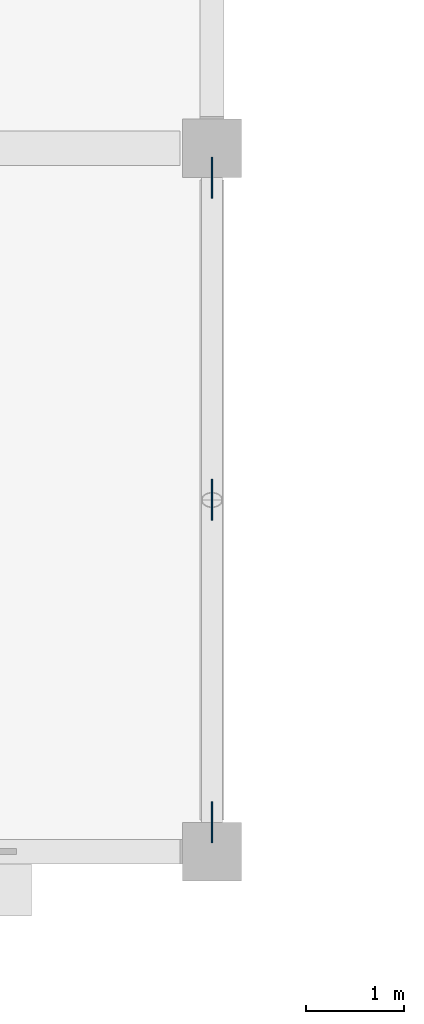
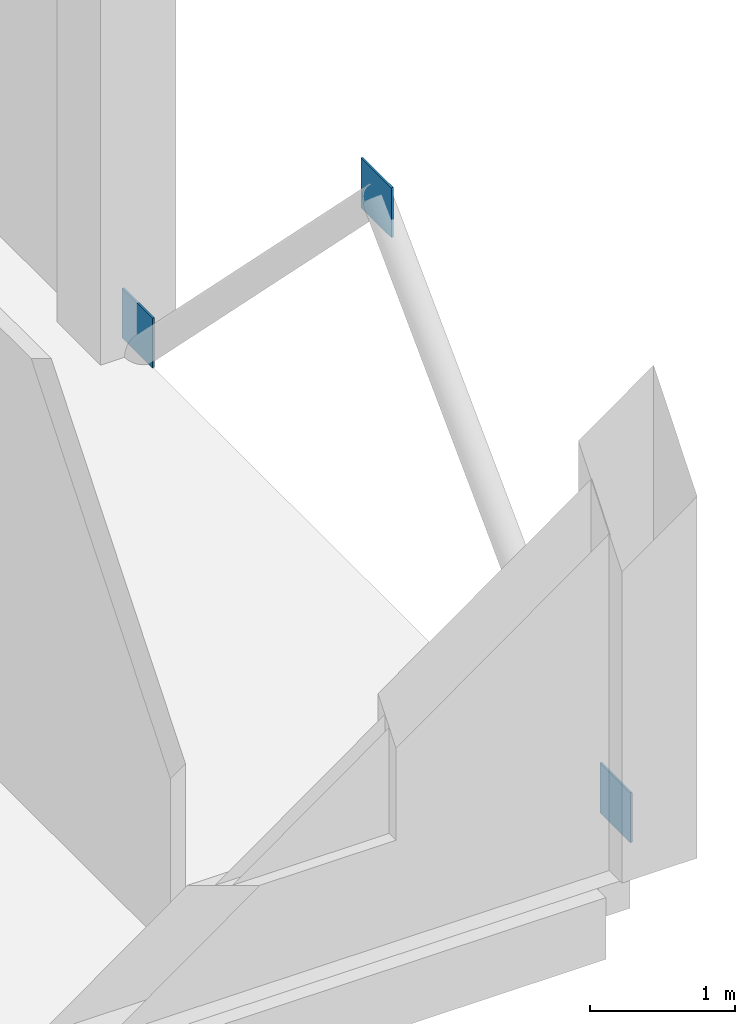
# One storey, part 12 of 26: 3 plates.
"""IFC4 building model written with IfcOpenShell, lengths in metres."""

from ifc_helpers import new_model, si_unit, direction, frame, origin, origin_2d, place, context, subcontext, project, spatial, rectangle, extrude, material, layer, layer_set, type_object, element, save


model = new_model("IFC4")

# Units and contexts
model_context = context("Model", 3, precision=1e-05, world=origin(), true_north=direction((0.0, 1.0)))
body_context = subcontext(model_context, "Body", "Model", "MODEL_VIEW")
ifc_project = project(units=[si_unit("LENGTHUNIT", "METRE"), si_unit("AREAUNIT", "SQUARE_METRE"), si_unit("VOLUMEUNIT", "CUBIC_METRE"), si_unit("PLANEANGLEUNIT", "RADIAN"), si_unit("MASSUNIT", "GRAM", prefix="KILO")], contexts=[model_context])

# Site, building, storey
site_placement = place(None, origin())
site = spatial("IfcSite", under=ifc_project, at=site_placement, CompositionType="ELEMENT")
building_placement = place(site_placement, origin())
building = spatial("IfcBuilding", under=site, at=building_placement, Name="Kangsadwip Square Police Headquarters", CompositionType="ELEMENT")
storey_placement = place(building_placement, frame((0.0, 0.0, 25.64990234375)))
storey = spatial("IfcBuildingStorey", under=building, at=storey_placement, Name="L06", CompositionType="ELEMENT", Elevation=25.64990234375)

# Plates
ifc_material = material(Name="Structural steel IS 2062 E350 (Grade 350, 350 MPa)", Category="steel")
ifc_layer = layer(ifc_material, 0.01611328125)
ifc_layer_set = layer_set([ifc_layer], Name="Structural steel IS 2062 E350 (Grade 350, 350 MPa)")
plate_type = type_object("IfcPlateType", Name="TrussGussetPlate16", PredefinedType="USERDEFINED", material=ifc_layer_set)
for number, where, z_axis, x_axis, name in (
    (1, (21.60009765625, 39.60009765625, 3.10009765625), (0.0, 0.0, 1.0), (0.0, 1.0, 0.0), "Truss Node Gusset Plate GP-L06-0145"),
    (2, (21.60009765625, 36.300048828125, 0.000244140625), (0.0, 0.0, 1.0), (0.0, 1.0, 0.0), "Truss Node Gusset Plate GP-L06-0146"),
    (3, (21.60009765625, 42.89990234375, 0.000244140625), (0.0, 0.0, 1.0), (0.0, 1.0, 0.0), "Truss Node Gusset Plate GP-L06-0147"),
):
    element("IfcPlate", number, at=place(storey_placement, frame(where, z_axis=z_axis, x_axis=x_axis)), inside=storey, type_object=plate_type, Name=name, ObjectType="GUSSET_PLATE", PredefinedType="USERDEFINED", context=body_context, shape_type="SweptSolid", body=[
        extrude(rectangle(XDim=0.419921875, YDim=0.01611328125, at=origin_2d()), origin(), (0.0, 0.0, 1.0), 0.419921875),
    ])

save(model, "model.ifc")
